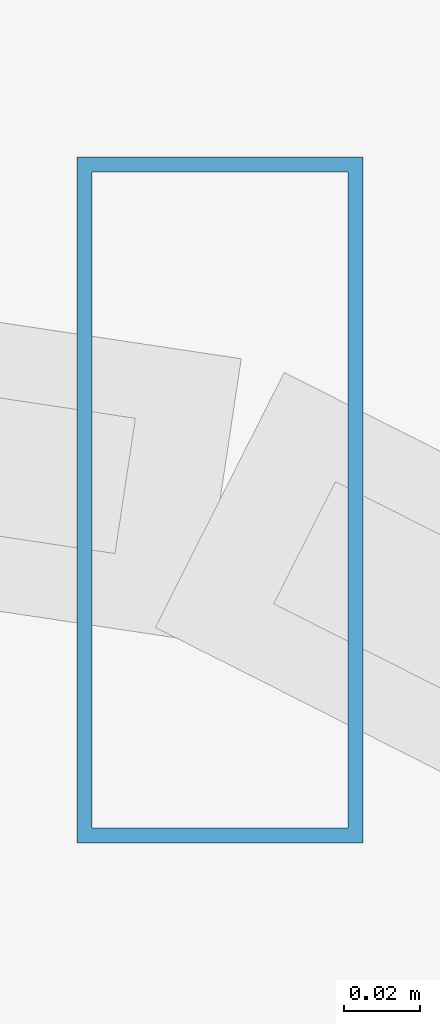
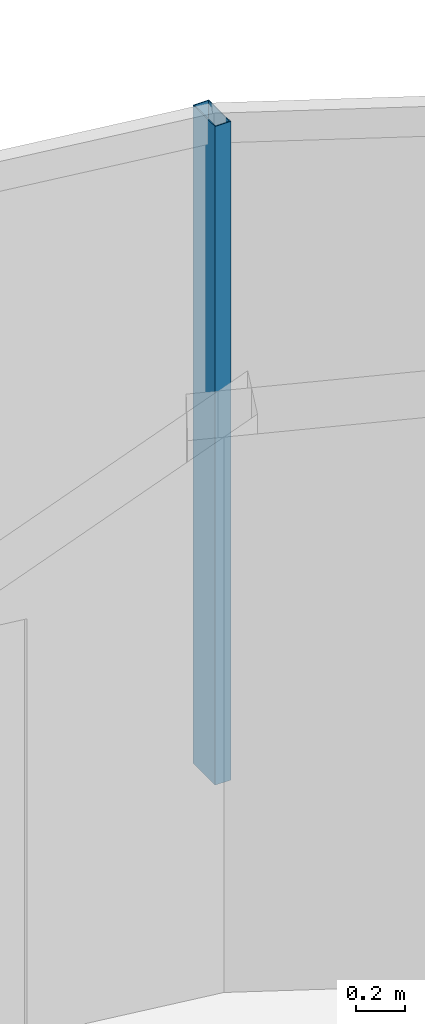
# One storey, part 21 of 34: 1 member, 1 element without a shape of its own.
"""IFC4 building model written with IfcOpenShell, lengths in metres."""

from ifc_helpers import new_model, si_unit, direction, frame, origin, origin_2d, place, context, subcontext, project, spatial, hollow_rectangle, extrude, material, material_profile, profile_set, type_object, element, aggregate, save


model = new_model("IFC4")

# Units and contexts
model_context = context("Model", 3, precision=1e-05, world=origin(), true_north=direction((0.0, 1.0)))
body_context = subcontext(model_context, "Body", "Model", "MODEL_VIEW")
ifc_project = project(units=[si_unit("LENGTHUNIT", "METRE"), si_unit("AREAUNIT", "SQUARE_METRE"), si_unit("VOLUMEUNIT", "CUBIC_METRE"), si_unit("PLANEANGLEUNIT", "RADIAN"), si_unit("MASSUNIT", "GRAM", prefix="KILO")], contexts=[model_context])

# Site, building, storey
site_placement = place(None, origin())
site = spatial("IfcSite", under=ifc_project, at=site_placement, CompositionType="ELEMENT")
building_placement = place(site_placement, origin())
building = spatial("IfcBuilding", under=site, at=building_placement, Name="Vorneva Point Tower", CompositionType="ELEMENT")
storey_placement = place(building_placement, frame((0.0, 0.0, 182.60009765625)))
storey = spatial("IfcBuildingStorey", under=building, at=storey_placement, Name="L49", CompositionType="ELEMENT", Elevation=182.60009765625)

# Curtain wall, member
ifc_material = material(Name="Pale anodised aluminium", Category="aluminium")
curtain_wall_type = type_object("IfcCurtainWallType", Name="CW-RES-SYS", PredefinedType="NOTDEFINED", material=ifc_material)
curtain_wall_placement = place(storey_placement, origin())
curtain_wall = element("IfcCurtainWall", 1, at=curtain_wall_placement, inside=storey, type_object=curtain_wall_type, Name="L49 Unitised Curtain Wall CW-L49-R01", PredefinedType="NOTDEFINED")
ifc_material_profile = material_profile(ifc_material, hollow_rectangle(XDim=0.074951171875, YDim=0.179931640625, WallThickness=0.00390625, at=origin_2d()), Name="AL-MUL 180x75x4")
ifc_profile_set = profile_set([ifc_material_profile], Name="Pale anodised aluminium")
member_type = type_object("IfcMemberType", Name="CW-MUL-180", PredefinedType="MULLION", material=ifc_profile_set)
member_placement = place(storey_placement, frame((48.80322265625, 45.724853515625, -0.0400390625), z_axis=(0.0, 0.0, 1.0), x_axis=(1.0, 0.0, 0.0)))
member = element("IfcMember", 2, at=member_placement, type_object=member_type, Name="CW-L49-R01 Mullion 03", PredefinedType="MULLION", context=body_context, shape_type="SweptSolid", body=[
    extrude(hollow_rectangle(XDim=0.074951171875, YDim=0.179931640625, WallThickness=0.00390625, at=origin_2d()), origin(), (0.0, 0.0, 1.0), 3.31005859375),
])
aggregate(curtain_wall, [member])

save(model, "model.ifc")
